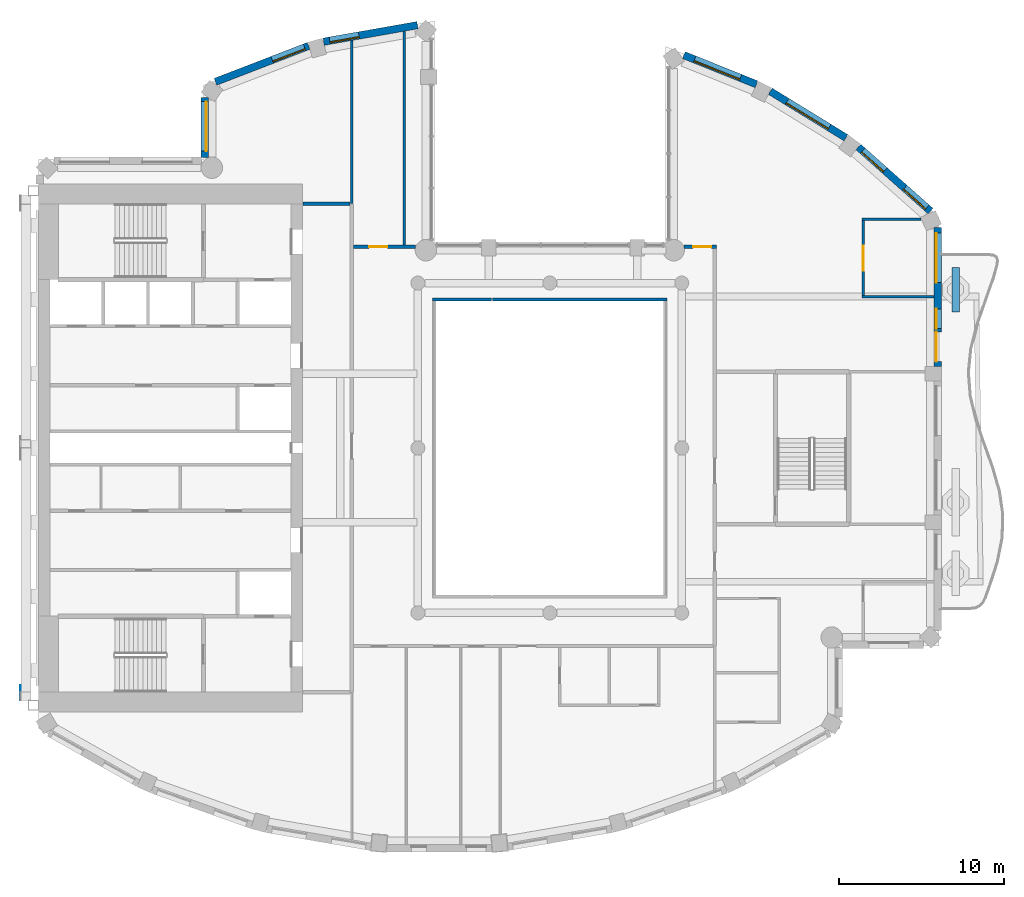
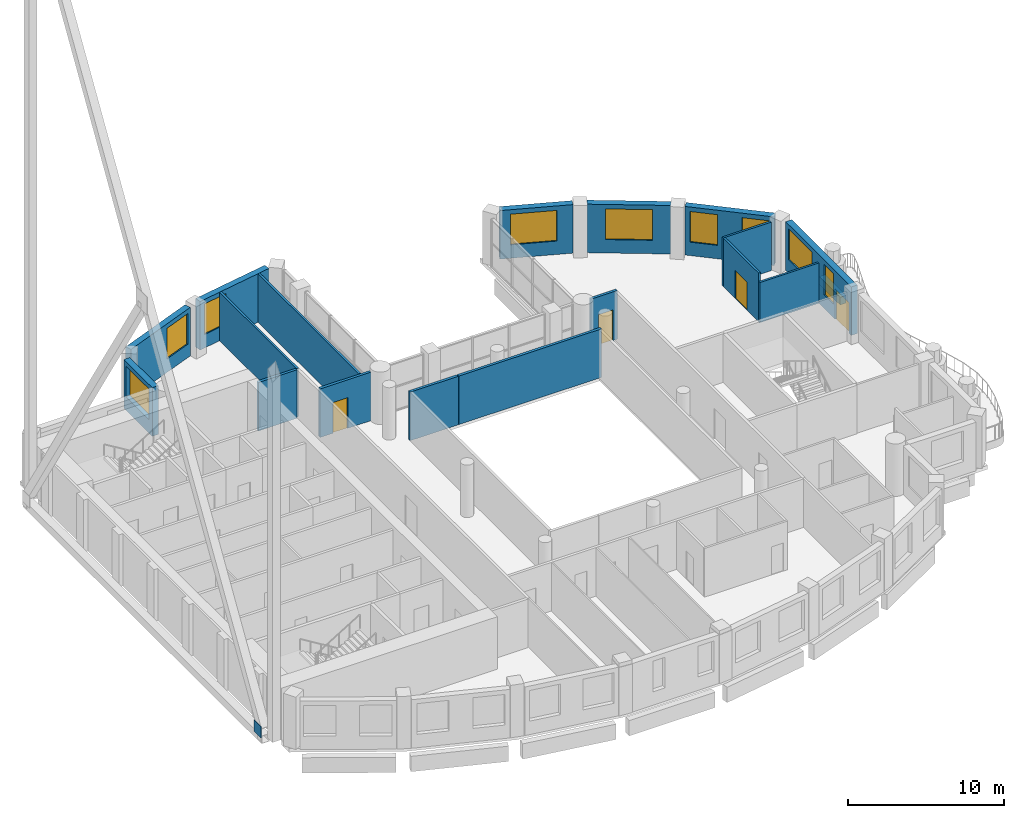
# One storey, part 8 of 18: 18 walls, 9 windows, 4 doors, 1 discrete accessory, 13 openings.
"""IFC4 building model written with IfcOpenShell, lengths in metres."""

from ifc_helpers import new_model, si_unit, direction, frame, frame_2d, origin, origin_2d, place, context, subcontext, project, spatial, rectangle, extrude, material, layer, layer_set, material_profile, profile_set, type_object, element, fill, save


model = new_model("IFC4")

# Units and contexts
model_context = context("Model", 3, precision=1e-05, world=origin(), true_north=direction((0.0, 1.0)))
body_context = subcontext(model_context, "Body", "Model", "MODEL_VIEW")
ifc_project = project(units=[si_unit("LENGTHUNIT", "METRE"), si_unit("AREAUNIT", "SQUARE_METRE"), si_unit("VOLUMEUNIT", "CUBIC_METRE"), si_unit("PLANEANGLEUNIT", "RADIAN"), si_unit("MASSUNIT", "GRAM", prefix="KILO")], contexts=[model_context])

# Site, building, storey
site_placement = place(None, origin())
site = spatial("IfcSite", under=ifc_project, at=site_placement, CompositionType="ELEMENT")
building_placement = place(site_placement, origin())
building = spatial("IfcBuilding", under=site, at=building_placement, Name="Cypress Arch Tower", CompositionType="ELEMENT")
storey_placement = place(building_placement, frame((0.0, 0.0, 288.5)))
storey = spatial("IfcBuildingStorey", under=building, at=storey_placement, Name="L65", CompositionType="ELEMENT", Elevation=288.5)

# Wall
ifc_material_1 = material(Name="Concrete C40/50, waterproofed", Category="concrete")
ifc_layer_1 = layer(ifc_material_1, 0.449951171875)
ifc_layer_set_1 = layer_set([ifc_layer_1], Name="Balcony planter wall PW450")
wall_type_1 = type_object("IfcWallType", Name="Balcony planter wall PW450", PredefinedType="SOLIDWALL", material=ifc_layer_set_1)
wall_1_placement = place(storey_placement, frame((25.60009765625, 8.25, 0.0), z_axis=(0.0, 0.0, 1.0), x_axis=(0.0, 1.0, 0.0)))
element("IfcWall", 1, at=wall_1_placement, inside=storey, type_object=wall_type_1, Name="Balcony planter wall L65-C17.3", PredefinedType="SOLIDWALL", context=body_context, shape_type="SweptSolid", body=[
    extrude(rectangle(XDim=2.699951171875, YDim=0.449951171875, at=frame_2d((1.35009765625, 0.0))), origin(), (0.0, 0.0, 1.0), 0.60009765625),
])

# Wall, opening, window
ifc_material_2 = material(Name="Brick (red buff blend)", Category="masonry")
ifc_layer_2 = layer(ifc_material_2, 0.449951171875)
ifc_layer_set_2 = layer_set([ifc_layer_2], Name="Brick pier and spandrel wall BW450")
wall_type_2 = type_object("IfcWallType", Name="Brick pier and spandrel wall BW450", PredefinedType="SOLIDWALL", material=ifc_layer_set_2)
wall_2_placement = place(storey_placement, frame((-7.028564453125, 25.63232421875, 0.0), z_axis=(0.0, 0.0, 1.0), x_axis=(-0.984797606634, -0.173705710808, 0.0)))
wall_2 = element("IfcWall", 2, at=wall_2_placement, inside=storey, type_object=wall_type_2, Name="Brick wall L65 C03.0", PredefinedType="SOLIDWALL", context=body_context, shape_type="SweptSolid", body=[
    extrude(rectangle(XDim=5.772216796875, YDim=0.449951171875, at=frame_2d((2.88623046875, 0.0))), origin(), (0.0, 0.0, 1.0), 3.800048828125),
])
opening_1_placement = place(wall_2_placement, frame((3.59326171875, 0.0, 1.050048828125)))
opening_1 = element("IfcOpeningElement", 3, at=opening_1_placement, cuts=wall_2, Name="Opening W180O", PredefinedType="OPENING", context=body_context, shape_type="SweptSolid", body=[
    extrude(rectangle(XDim=1.800048828125, YDim=2.39990234375, at=frame_2d((0.89990234375, 1.199951171875))), frame((0.0, 0.23486328125, 0.0), z_axis=(0.0, -1.0, 0.0), x_axis=(1.0, 0.0, 0.0)), (0.0, 0.0, 1.0), 0.469970703125),
])
ifc_material_3 = material(Name="Anodised aluminium, bronze finish, clear low-emissivity double glazing", Category="aluminium")
window_type_1 = type_object("IfcWindowType", Name="Window Office 1800x2400", PartitioningType="SINGLE_PANEL", PredefinedType="WINDOW", material=ifc_material_3)
window_1_placement = place(opening_1_placement, origin())
window_1 = element("IfcWindow", 4, at=window_1_placement, inside=storey, type_object=window_type_1, Name="Window L65 C03.0.2", OverallHeight=2.39990234375, OverallWidth=1.800048828125, PartitioningType="SINGLE_PANEL", PredefinedType="WINDOW", context=body_context, shape_type="SweptSolid", body=[
    extrude(rectangle(XDim=1.800048828125, YDim=2.39990234375, at=frame_2d((0.89990234375, 1.199951171875))), frame((0.0, 0.135009765625, 0.0), z_axis=(0.0, -1.0, 0.0), x_axis=(1.0, 0.0, 0.0)), (0.0, 0.0, 1.0), 0.06005859375),
])
fill(opening_1, window_1)

wall_3_placement = place(storey_placement, frame((-13.6220703125, 24.376953125, 0.0), z_axis=(0.0, 0.0, 1.0), x_axis=(-0.933129259679, -0.359541075164, 0.0)))
wall_3 = element("IfcWall", 5, at=wall_3_placement, inside=storey, type_object=wall_type_2, Name="Brick wall L65 C04.0", PredefinedType="SOLIDWALL", context=body_context, shape_type="SweptSolid", body=[
    extrude(rectangle(XDim=6.05419921875, YDim=0.449951171875, at=frame_2d((3.027099609375, 0.0))), origin(), (0.0, 0.0, 1.0), 3.800048828125),
])
opening_2_placement = place(wall_3_placement, frame((0.260986328125, 0.0, 1.050048828125)))
opening_2 = element("IfcOpeningElement", 6, at=opening_2_placement, cuts=wall_3, Name="Opening W210O", PredefinedType="OPENING", context=body_context, shape_type="SweptSolid", body=[
    extrude(rectangle(XDim=2.10009765625, YDim=2.39990234375, at=frame_2d((1.050048828125, 1.199951171875))), frame((0.0, 0.23486328125, 0.0), z_axis=(0.0, -1.0, 0.0), x_axis=(1.0, 0.0, 0.0)), (0.0, 0.0, 1.0), 0.469970703125),
])
ifc_material_4 = material(Name="Anodised aluminium, bronze finish, clear low-emissivity double glazing", Category="aluminium")
window_type_2 = type_object("IfcWindowType", Name="Window Office 2100x2400", PartitioningType="SINGLE_PANEL", PredefinedType="WINDOW", material=ifc_material_4)
window_2_placement = place(opening_2_placement, origin())
window_2 = element("IfcWindow", 7, at=window_2_placement, inside=storey, type_object=window_type_2, Name="Window L65 C04.0.1", OverallHeight=2.39990234375, OverallWidth=2.10009765625, PartitioningType="SINGLE_PANEL", PredefinedType="WINDOW", context=body_context, shape_type="SweptSolid", body=[
    extrude(rectangle(XDim=2.10009765625, YDim=2.39990234375, at=frame_2d((1.050048828125, 1.199951171875))), frame((0.0, 0.135009765625, 0.0), z_axis=(0.0, -1.0, 0.0), x_axis=(1.0, 0.0, 0.0)), (0.0, 0.0, 1.0), 0.06005859375),
])
fill(opening_2, window_2)

wall_4_placement = place(storey_placement, frame((-19.925048828125, 21.248291015625, 0.0), z_axis=(0.0, 0.0, 1.0), x_axis=(0.0, -1.0, 0.0)))
wall_4 = element("IfcWall", 8, at=wall_4_placement, inside=storey, type_object=wall_type_2, Name="Brick wall L65 C05.0", PredefinedType="SOLIDWALL", context=body_context, shape_type="SweptSolid", body=[
    extrude(rectangle(XDim=3.646728515625, YDim=0.449951171875, at=frame_2d((1.8232421875, 0.0))), origin(), (0.0, 0.0, 1.0), 3.800048828125),
])
opening_3_placement = place(wall_4_placement, frame((0.251220703125, 0.0, 1.050048828125)))
opening_3 = element("IfcOpeningElement", 9, at=opening_3_placement, cuts=wall_4, Name="Opening W300O", PredefinedType="OPENING", context=body_context, shape_type="SweptSolid", body=[
    extrude(rectangle(XDim=3.0, YDim=2.39990234375, at=frame_2d((1.5, 1.199951171875))), frame((0.0, 0.23486328125, 0.0), z_axis=(0.0, -1.0, 0.0), x_axis=(1.0, 0.0, 0.0)), (0.0, 0.0, 1.0), 0.469970703125),
])
ifc_material_5 = material(Name="Anodised aluminium, bronze finish, clear low-emissivity double glazing", Category="aluminium")
window_type_3 = type_object("IfcWindowType", Name="Window Office 3000x2400", PartitioningType="SINGLE_PANEL", PredefinedType="WINDOW", material=ifc_material_5)
window_3_placement = place(opening_3_placement, origin())
window_3 = element("IfcWindow", 10, at=window_3_placement, inside=storey, type_object=window_type_3, Name="Window L65 C05.0.1", OverallHeight=2.39990234375, OverallWidth=3.0, PartitioningType="SINGLE_PANEL", PredefinedType="WINDOW", context=body_context, shape_type="SweptSolid", body=[
    extrude(rectangle(XDim=3.0, YDim=2.39990234375, at=frame_2d((1.5, 1.199951171875))), frame((0.0, 0.135009765625, 0.0), z_axis=(0.0, -1.0, 0.0), x_axis=(1.0, 0.0, 0.0)), (0.0, 0.0, 1.0), 0.06005859375),
])
fill(opening_3, window_3)

# Wall, openings, door, windows
wall_5_placement = place(storey_placement, frame((24.52490234375, 4.949951171875, 0.0), z_axis=(0.0, 0.0, 1.0), x_axis=(0.0, 1.0, 0.0)))
wall_5 = element("IfcWall", 11, at=wall_5_placement, inside=storey, type_object=wall_type_2, Name="Brick wall L65 C17.2", PredefinedType="SOLIDWALL", context=body_context, shape_type="SweptSolid", body=[
    extrude(rectangle(XDim=8.421875, YDim=0.449951171875, at=frame_2d((4.2109375, 0.0))), origin(), (0.0, 0.0, 1.0), 3.800048828125),
])
opening_4_placement = place(wall_5_placement, frame((0.291259765625, 0.0, 0.0)))
opening_4 = element("IfcOpeningElement", 12, at=opening_4_placement, cuts=wall_5, Name="Opening D-L65-C17.2.1", PredefinedType="OPENING", context=body_context, shape_type="SweptSolid", body=[
    extrude(rectangle(XDim=1.800048828125, YDim=2.39990234375, at=frame_2d((0.89990234375, 1.199951171875))), frame((0.0, 0.23486328125, 0.0), z_axis=(0.0, -1.0, 0.0), x_axis=(1.0, 0.0, 0.0)), (0.0, 0.0, 1.0), 0.469970703125),
])
opening_5_placement = place(wall_5_placement, frame((2.291259765625, 0.0, 1.050048828125)))
opening_5 = element("IfcOpeningElement", 13, at=opening_5_placement, cuts=wall_5, Name="Opening W120OD", PredefinedType="OPENING", context=body_context, shape_type="SweptSolid", body=[
    extrude(rectangle(XDim=1.199951171875, YDim=2.39990234375, at=frame_2d((0.60009765625, 1.199951171875))), frame((0.0, 0.23486328125, 0.0), z_axis=(0.0, -1.0, 0.0), x_axis=(1.0, 0.0, 0.0)), (0.0, 0.0, 1.0), 0.469970703125),
])
opening_6_placement = place(wall_5_placement, frame((5.073974609375, 0.0, 1.050048828125)))
opening_6 = element("IfcOpeningElement", 14, at=opening_6_placement, cuts=wall_5, Name="Opening W300OD", PredefinedType="OPENING", context=body_context, shape_type="SweptSolid", body=[
    extrude(rectangle(XDim=3.0, YDim=2.39990234375, at=frame_2d((1.5, 1.199951171875))), frame((0.0, 0.23486328125, 0.0), z_axis=(0.0, -1.0, 0.0), x_axis=(1.0, 0.0, 0.0)), (0.0, 0.0, 1.0), 0.469970703125),
])
ifc_material_6 = material(Name="Anodised aluminium, bronze finish, laminated low-emissivity double glazing, large-missile impact rated", Category="aluminium")
door_type_1 = type_object("IfcDoorType", Name="Balcony sliding door 1800x2400", OperationType="SLIDING_TO_LEFT", PredefinedType="DOOR", material=ifc_material_6)
door_1_placement = place(opening_4_placement, origin())
door_1 = element("IfcDoor", 15, at=door_1_placement, inside=storey, type_object=door_type_1, Name="Balcony door L65 C17.2.1", OperationType="SLIDING_TO_LEFT", OverallHeight=2.39990234375, OverallWidth=1.800048828125, PredefinedType="DOOR", context=body_context, shape_type="SweptSolid", body=[
    extrude(rectangle(XDim=1.800048828125, YDim=2.39990234375, at=frame_2d((0.89990234375, 1.199951171875))), frame((0.0, 0.1298828125, 0.0), z_axis=(0.0, -1.0, 0.0), x_axis=(1.0, 0.0, 0.0)), (0.0, 0.0, 1.0), 0.050048828125),
])
fill(opening_4, door_1)
ifc_material_7 = material(Name="Anodised aluminium, bronze finish, laminated low-emissivity double glazing, large-missile impact rated", Category="aluminium")
window_type_4 = type_object("IfcWindowType", Name="Window Office 1200x2400 debris-rated", PartitioningType="SINGLE_PANEL", PredefinedType="WINDOW", material=ifc_material_7)
window_4_placement = place(opening_5_placement, origin())
window_4 = element("IfcWindow", 16, at=window_4_placement, inside=storey, type_object=window_type_4, Name="Window L65 C17.2.1", OverallHeight=2.39990234375, OverallWidth=1.199951171875, PartitioningType="SINGLE_PANEL", PredefinedType="WINDOW", context=body_context, shape_type="SweptSolid", body=[
    extrude(rectangle(XDim=1.199951171875, YDim=2.39990234375, at=frame_2d((0.60009765625, 1.199951171875))), frame((0.0, 0.135009765625, 0.0), z_axis=(0.0, -1.0, 0.0), x_axis=(1.0, 0.0, 0.0)), (0.0, 0.0, 1.0), 0.06005859375),
])
fill(opening_5, window_4)
ifc_material_8 = material(Name="Anodised aluminium, bronze finish, laminated low-emissivity double glazing, large-missile impact rated", Category="aluminium")
window_type_5 = type_object("IfcWindowType", Name="Window Office 3000x2400 debris-rated", PartitioningType="SINGLE_PANEL", PredefinedType="WINDOW", material=ifc_material_8)
window_5_placement = place(opening_6_placement, origin())
window_5 = element("IfcWindow", 17, at=window_5_placement, inside=storey, type_object=window_type_5, Name="Window L65 C17.2.2", OverallHeight=2.39990234375, OverallWidth=3.0, PartitioningType="SINGLE_PANEL", PredefinedType="WINDOW", context=body_context, shape_type="SweptSolid", body=[
    extrude(rectangle(XDim=3.0, YDim=2.39990234375, at=frame_2d((1.5, 1.199951171875))), frame((0.0, 0.135009765625, 0.0), z_axis=(0.0, -1.0, 0.0), x_axis=(1.0, 0.0, 0.0)), (0.0, 0.0, 1.0), 0.06005859375),
])
fill(opening_6, window_5)

# Wall, openings, windows
wall_6_placement = place(storey_placement, frame((24.08056640625, 14.361083984375, 0.0), z_axis=(0.0, 0.0, 1.0), x_axis=(-0.747570482973, 0.664182484704, 0.0)))
wall_6 = element("IfcWall", 18, at=wall_6_placement, inside=storey, type_object=wall_type_2, Name="Brick wall L65 C18.0", PredefinedType="SOLIDWALL", context=body_context, shape_type="SweptSolid", body=[
    extrude(rectangle(XDim=5.849609375, YDim=0.449951171875, at=frame_2d((2.9248046875, 0.0))), origin(), (0.0, 0.0, 1.0), 3.800048828125),
])
opening_7_placement = place(wall_6_placement, frame((0.305419921875, 0.0, 1.050048828125)))
opening_7 = element("IfcOpeningElement", 19, at=opening_7_placement, cuts=wall_6, Name="Opening W180O", PredefinedType="OPENING", context=body_context, shape_type="SweptSolid", body=[
    extrude(rectangle(XDim=1.800048828125, YDim=2.39990234375, at=frame_2d((0.89990234375, 1.199951171875))), frame((0.0, 0.23486328125, 0.0), z_axis=(0.0, -1.0, 0.0), x_axis=(1.0, 0.0, 0.0)), (0.0, 0.0, 1.0), 0.469970703125),
])
opening_8_placement = place(wall_6_placement, frame((3.702880859375, 0.0, 1.050048828125)))
opening_8 = element("IfcOpeningElement", 20, at=opening_8_placement, cuts=wall_6, Name="Opening W180O", PredefinedType="OPENING", context=body_context, shape_type="SweptSolid", body=[
    extrude(rectangle(XDim=1.800048828125, YDim=2.39990234375, at=frame_2d((0.89990234375, 1.199951171875))), frame((0.0, 0.23486328125, 0.0), z_axis=(0.0, -1.0, 0.0), x_axis=(1.0, 0.0, 0.0)), (0.0, 0.0, 1.0), 0.469970703125),
])
window_6_placement = place(opening_7_placement, origin())
window_6 = element("IfcWindow", 21, at=window_6_placement, inside=storey, type_object=window_type_1, Name="Window L65 C18.0.1", OverallHeight=2.39990234375, OverallWidth=1.800048828125, PartitioningType="SINGLE_PANEL", PredefinedType="WINDOW", context=body_context, shape_type="SweptSolid", body=[
    extrude(rectangle(XDim=1.800048828125, YDim=2.39990234375, at=frame_2d((0.89990234375, 1.199951171875))), frame((0.0, 0.135009765625, 0.0), z_axis=(0.0, -1.0, 0.0), x_axis=(1.0, 0.0, 0.0)), (0.0, 0.0, 1.0), 0.06005859375),
])
fill(opening_7, window_6)
window_7_placement = place(opening_8_placement, origin())
window_7 = element("IfcWindow", 22, at=window_7_placement, inside=storey, type_object=window_type_1, Name="Window L65 C18.0.2", OverallHeight=2.39990234375, OverallWidth=1.800048828125, PartitioningType="SINGLE_PANEL", PredefinedType="WINDOW", context=body_context, shape_type="SweptSolid", body=[
    extrude(rectangle(XDim=1.800048828125, YDim=2.39990234375, at=frame_2d((0.89990234375, 1.199951171875))), frame((0.0, 0.135009765625, 0.0), z_axis=(0.0, -1.0, 0.0), x_axis=(1.0, 0.0, 0.0)), (0.0, 0.0, 1.0), 0.06005859375),
])
fill(opening_8, window_7)

# Wall, opening, window
wall_7_placement = place(storey_placement, frame((18.953369140625, 18.806396484375, 0.0), z_axis=(0.0, 0.0, 1.0), x_axis=(-0.851860664503, 0.523768468193, 0.0)))
wall_7 = element("IfcWall", 23, at=wall_7_placement, inside=storey, type_object=wall_type_2, Name="Brick wall L65 C19.0", PredefinedType="SOLIDWALL", context=body_context, shape_type="SweptSolid", body=[
    extrude(rectangle(XDim=5.3837890625, YDim=0.449951171875, at=frame_2d((2.69189453125, 0.0))), origin(), (0.0, 0.0, 1.0), 3.800048828125),
])
opening_9_placement = place(wall_7_placement, frame((1.19189453125, 0.0, 1.050048828125)))
opening_9 = element("IfcOpeningElement", 24, at=opening_9_placement, cuts=wall_7, Name="Opening W300O", PredefinedType="OPENING", context=body_context, shape_type="SweptSolid", body=[
    extrude(rectangle(XDim=3.0, YDim=2.39990234375, at=frame_2d((1.5, 1.199951171875))), frame((0.0, 0.23486328125, 0.0), z_axis=(0.0, -1.0, 0.0), x_axis=(1.0, 0.0, 0.0)), (0.0, 0.0, 1.0), 0.469970703125),
])
window_8_placement = place(opening_9_placement, origin())
window_8 = element("IfcWindow", 25, at=window_8_placement, inside=storey, type_object=window_type_3, Name="Window L65 C19.0.1", OverallHeight=2.39990234375, OverallWidth=3.0, PartitioningType="SINGLE_PANEL", PredefinedType="WINDOW", context=body_context, shape_type="SweptSolid", body=[
    extrude(rectangle(XDim=3.0, YDim=2.39990234375, at=frame_2d((1.5, 1.199951171875))), frame((0.0, 0.135009765625, 0.0), z_axis=(0.0, -1.0, 0.0), x_axis=(1.0, 0.0, 0.0)), (0.0, 0.0, 1.0), 0.06005859375),
])
fill(opening_9, window_8)

wall_8_placement = place(storey_placement, frame((13.529296875, 22.04833984375, 0.0), z_axis=(0.0, 0.0, 1.0), x_axis=(-0.927957332619, 0.372686448424, 0.0)))
wall_8 = element("IfcWall", 26, at=wall_8_placement, inside=storey, type_object=wall_type_2, Name="Brick wall L65 C20.0", PredefinedType="SOLIDWALL", context=body_context, shape_type="SweptSolid", body=[
    extrude(rectangle(XDim=4.741455078125, YDim=0.449951171875, at=frame_2d((2.37060546875, 0.0))), origin(), (0.0, 0.0, 1.0), 3.800048828125),
])
opening_10_placement = place(wall_8_placement, frame((1.046630859375, 0.0, 1.050048828125)))
opening_10 = element("IfcOpeningElement", 27, at=opening_10_placement, cuts=wall_8, Name="Opening W300O", PredefinedType="OPENING", context=body_context, shape_type="SweptSolid", body=[
    extrude(rectangle(XDim=3.0, YDim=2.39990234375, at=frame_2d((1.5, 1.199951171875))), frame((0.0, 0.23486328125, 0.0), z_axis=(0.0, -1.0, 0.0), x_axis=(1.0, 0.0, 0.0)), (0.0, 0.0, 1.0), 0.469970703125),
])
window_9_placement = place(opening_10_placement, origin())
window_9 = element("IfcWindow", 28, at=window_9_placement, inside=storey, type_object=window_type_3, Name="Window L65 C20.0.1", OverallHeight=2.39990234375, OverallWidth=3.0, PartitioningType="SINGLE_PANEL", PredefinedType="WINDOW", context=body_context, shape_type="SweptSolid", body=[
    extrude(rectangle(XDim=3.0, YDim=2.39990234375, at=frame_2d((1.5, 1.199951171875))), frame((0.0, 0.135009765625, 0.0), z_axis=(0.0, -1.0, 0.0), x_axis=(1.0, 0.0, 0.0)), (0.0, 0.0, 1.0), 0.06005859375),
])
fill(opening_10, window_9)

# Wall
ifc_material_9 = material(Name="Concrete blockwork, plastered, rated", Category="masonry")
ifc_layer_3 = layer(ifc_material_9, 0.199951171875)
ifc_layer_set_3 = layer_set([ifc_layer_3], Name="Corridor wall FW200")
wall_type_3 = type_object("IfcWallType", Name="Corridor wall FW200", PredefinedType="PARTITIONING", material=ifc_layer_set_3)
wall_9_placement = place(storey_placement, frame((-13.969970703125, 14.800048828125, 0.0), z_axis=(0.0, 0.0, 1.0), x_axis=(1.0, 0.0, 0.0)))
element("IfcWall", 29, at=wall_9_placement, inside=storey, type_object=wall_type_3, Name="Corridor wall", PredefinedType="PARTITIONING", context=body_context, shape_type="SweptSolid", body=[
    extrude(rectangle(XDim=2.869873046875, YDim=0.199951171875, at=frame_2d((1.43505859375, 0.0))), origin(), (0.0, 0.0, 1.0), 3.800048828125),
])

# Wall, opening, door
wall_10_placement = place(storey_placement, frame((-10.89990234375, 12.199951171875, 0.0), z_axis=(0.0, 0.0, 1.0), x_axis=(1.0, 0.0, 0.0)))
wall_10 = element("IfcWall", 30, at=wall_10_placement, inside=storey, type_object=wall_type_3, Name="Corridor wall", PredefinedType="PARTITIONING", context=body_context, shape_type="SweptSolid", body=[
    extrude(rectangle(XDim=3.756103515625, YDim=0.199951171875, at=frame_2d((1.8779296875, 0.0))), origin(), (0.0, 0.0, 1.0), 3.800048828125),
])
opening_11_placement = place(wall_10_placement, frame((0.949951171875, 0.0, 0.0)))
opening_11 = element("IfcOpeningElement", 31, at=opening_11_placement, cuts=wall_10, Name="Opening D01", PredefinedType="OPENING", context=body_context, shape_type="SweptSolid", body=[
    extrude(rectangle(XDim=1.10009765625, YDim=2.39990234375, at=frame_2d((0.550048828125, 1.199951171875))), frame((0.0, 0.10986328125, 0.0), z_axis=(0.0, -1.0, 0.0), x_axis=(1.0, 0.0, 0.0)), (0.0, 0.0, 1.0), 0.219970703125),
])
ifc_material_10 = material(Name="Timber flush door, fire resisting, self-closing", Category="wood")
door_type_2 = type_object("IfcDoorType", Name="Unit entrance door D01 1100x2400", OperationType="SINGLE_SWING_LEFT", PredefinedType="DOOR", material=ifc_material_10)
door_2_placement = place(opening_11_placement, origin())
door_2 = element("IfcDoor", 32, at=door_2_placement, inside=storey, type_object=door_type_2, Name="Unit entrance door", OperationType="SINGLE_SWING_RIGHT", OverallHeight=2.39990234375, OverallWidth=1.10009765625, PredefinedType="DOOR", context=body_context, shape_type="SweptSolid", body=[
    extrude(rectangle(XDim=1.10009765625, YDim=2.39990234375, at=frame_2d((0.550048828125, 1.199951171875))), frame((0.0, 0.02490234375, 0.0), z_axis=(0.0, -1.0, 0.0), x_axis=(1.0, 0.0, 0.0)), (0.0, 0.0, 1.0), 0.050048828125),
])
fill(opening_11, door_2)

# Walls
wall_11_placement = place(storey_placement, frame((-6.10009765625, 9.0, 0.0), z_axis=(0.0, 0.0, 1.0), x_axis=(1.0, 0.0, 0.0)))
element("IfcWall", 33, at=wall_11_placement, inside=storey, type_object=wall_type_3, Name="Corridor wall", PredefinedType="PARTITIONING", context=body_context, shape_type="SweptSolid", body=[
    extrude(rectangle(XDim=3.580078125, YDim=0.199951171875, at=frame_2d((1.7900390625, 0.0))), origin(), (0.0, 0.0, 1.0), 3.800048828125),
])
wall_12_placement = place(storey_placement, frame((-2.47998046875, 9.0, 0.0), z_axis=(0.0, 0.0, 1.0), x_axis=(1.0, 0.0, 0.0)))
element("IfcWall", 34, at=wall_12_placement, inside=storey, type_object=wall_type_3, Name="Corridor wall", PredefinedType="PARTITIONING", context=body_context, shape_type="SweptSolid", body=[
    extrude(rectangle(XDim=10.580078125, YDim=0.199951171875, at=frame_2d((5.2900390625, 0.0))), origin(), (0.0, 0.0, 1.0), 3.800048828125),
])

# Wall, opening, door
wall_13_placement = place(storey_placement, frame((9.143798828125, 12.199951171875, 0.0), z_axis=(0.0, 0.0, 1.0), x_axis=(1.0, 0.0, 0.0)))
wall_13 = element("IfcWall", 35, at=wall_13_placement, inside=storey, type_object=wall_type_3, Name="Corridor wall", PredefinedType="PARTITIONING", context=body_context, shape_type="SweptSolid", body=[
    extrude(rectangle(XDim=1.956298828125, YDim=0.199951171875, at=frame_2d((0.97802734375, 0.0))), origin(), (0.0, 0.0, 1.0), 3.800048828125),
])
opening_12_placement = place(wall_13_placement, frame((0.550048828125, 0.0, 0.0)))
opening_12 = element("IfcOpeningElement", 36, at=opening_12_placement, cuts=wall_13, Name="Opening D01", PredefinedType="OPENING", context=body_context, shape_type="SweptSolid", body=[
    extrude(rectangle(XDim=1.10009765625, YDim=2.39990234375, at=frame_2d((0.550048828125, 1.199951171875))), frame((0.0, 0.10986328125, 0.0), z_axis=(0.0, -1.0, 0.0), x_axis=(1.0, 0.0, 0.0)), (0.0, 0.0, 1.0), 0.219970703125),
])
door_3_placement = place(opening_12_placement, origin())
door_3 = element("IfcDoor", 37, at=door_3_placement, inside=storey, type_object=door_type_2, Name="Unit entrance door", OperationType="SINGLE_SWING_LEFT", OverallHeight=2.39990234375, OverallWidth=1.10009765625, PredefinedType="DOOR", context=body_context, shape_type="SweptSolid", body=[
    extrude(rectangle(XDim=1.10009765625, YDim=2.39990234375, at=frame_2d((0.550048828125, 1.199951171875))), frame((0.0, 0.02490234375, 0.0), z_axis=(0.0, -1.0, 0.0), x_axis=(1.0, 0.0, 0.0)), (0.0, 0.0, 1.0), 0.050048828125),
])
fill(opening_12, door_3)

# Walls
ifc_material_11 = material(Name="Blockwork, plastered both sides", Category="masonry")
ifc_layer_4 = layer(ifc_material_11, 0.14990234375)
ifc_layer_set_4 = layer_set([ifc_layer_4], Name="Partition PW150")
wall_type_4 = type_object("IfcWallType", Name="Partition PW150", PredefinedType="PARTITIONING", material=ifc_layer_set_4)
wall_14_placement = place(storey_placement, frame((-11.0, 14.820068359375, 0.0), z_axis=(0.0, 0.0, 1.0), x_axis=(0.0, 1.0, 0.0)))
element("IfcWall", 38, at=wall_14_placement, inside=storey, type_object=wall_type_4, Name="Partition", PredefinedType="PARTITIONING", context=body_context, shape_type="SweptSolid", body=[
    extrude(rectangle(XDim=9.88330078125, YDim=0.14990234375, at=frame_2d((4.941650390625, 0.0))), origin(), (0.0, 0.0, 1.0), 3.800048828125),
])
wall_15_placement = place(storey_placement, frame((-7.830810546875, 12.320068359375, 0.0), z_axis=(0.0, 0.0, 1.0), x_axis=(0.0, 1.0, 0.0)))
element("IfcWall", 39, at=wall_15_placement, inside=storey, type_object=wall_type_4, Name="Partition", PredefinedType="PARTITIONING", context=body_context, shape_type="SweptSolid", body=[
    extrude(rectangle(XDim=12.9423828125, YDim=0.14990234375, at=frame_2d((6.47119140625, 0.0))), origin(), (0.0, 0.0, 1.0), 3.800048828125),
])

# Wall, opening, door
wall_16_placement = place(storey_placement, frame((20.0, 9.258056640625, 0.0), z_axis=(0.0, 0.0, 1.0), x_axis=(0.0, 1.0, 0.0)))
wall_16 = element("IfcWall", 40, at=wall_16_placement, inside=storey, type_object=wall_type_4, Name="Partition", PredefinedType="PARTITIONING", context=body_context, shape_type="SweptSolid", body=[
    extrude(rectangle(XDim=4.531982421875, YDim=0.14990234375, at=frame_2d((2.26611328125, 0.0))), origin(), (0.0, 0.0, 1.0), 3.800048828125),
])
opening_13_placement = place(wall_16_placement, frame((1.5, 0.0, 0.0)))
opening_13 = element("IfcOpeningElement", 41, at=opening_13_placement, cuts=wall_16, Name="Opening D04", PredefinedType="OPENING", context=body_context, shape_type="SweptSolid", body=[
    extrude(rectangle(XDim=1.5, YDim=2.199951171875, at=frame_2d((0.75, 1.10009765625))), frame((0.0, 0.0849609375, 0.0), z_axis=(0.0, -1.0, 0.0), x_axis=(1.0, 0.0, 0.0)), (0.0, 0.0, 1.0), 0.169921875),
])
ifc_material_12 = material(Name="Timber double door", Category="wood")
door_type_3 = type_object("IfcDoorType", Name="Double door D04 1500x2200", OperationType="DOUBLE_DOOR_SINGLE_SWING", PredefinedType="DOOR", material=ifc_material_12)
door_4_placement = place(opening_13_placement, origin())
door_4 = element("IfcDoor", 42, at=door_4_placement, inside=storey, type_object=door_type_3, Name="Double door", OperationType="DOUBLE_DOOR_SINGLE_SWING", OverallHeight=2.199951171875, OverallWidth=1.5, PredefinedType="DOOR", context=body_context, shape_type="SweptSolid", body=[
    extrude(rectangle(XDim=1.5, YDim=2.199951171875, at=frame_2d((0.75, 1.10009765625))), frame((0.0, 0.02490234375, 0.0), z_axis=(0.0, -1.0, 0.0), x_axis=(1.0, 0.0, 0.0)), (0.0, 0.0, 1.0), 0.050048828125),
])
fill(opening_13, door_4)

# Walls
wall_17_placement = place(storey_placement, frame((19.925048828125, 9.18310546875, 0.0), z_axis=(0.0, 0.0, 1.0), x_axis=(1.0, 0.0, 0.0)))
element("IfcWall", 43, at=wall_17_placement, inside=storey, type_object=wall_type_4, Name="Partition", PredefinedType="PARTITIONING", context=body_context, shape_type="SweptSolid", body=[
    extrude(rectangle(XDim=4.375, YDim=0.14990234375, at=frame_2d((2.1875, 0.0))), origin(), (0.0, 0.0, 1.0), 3.14990234375),
])
wall_18_placement = place(storey_placement, frame((19.925048828125, 13.864990234375, 0.0), z_axis=(0.0, 0.0, 1.0), x_axis=(1.0, 0.0, 0.0)))
element("IfcWall", 44, at=wall_18_placement, inside=storey, type_object=wall_type_4, Name="Partition", PredefinedType="PARTITIONING", context=body_context, shape_type="SweptSolid", body=[
    extrude(rectangle(XDim=3.568115234375, YDim=0.14990234375, at=frame_2d((1.7841796875, 0.0))), origin(), (0.0, 0.0, 1.0), 3.800048828125),
])

# Discrete accessory
ifc_material_13 = material(Name="Steel ASTM A992", Category="steel")
ifc_material_profile = material_profile(ifc_material_13, rectangle(XDim=0.89990234375, YDim=0.89990234375, at=origin_2d()), Name="PL 30 900x900")
ifc_profile_set = profile_set([ifc_material_profile], Name="Steel ASTM A992")
discrete_accessory_type = type_object("IfcDiscreteAccessoryType", Name="Gusset plate 900x900x30 Steel ASTM A992", PredefinedType="ANCHORPLATE", material=ifc_profile_set)
discrete_accessory_placement = place(storey_placement, frame((-31.0595703125, -14.84326171875, 0.604736328125), z_axis=(-1.0, 0.0, 0.0), x_axis=(0.0, -1.0, 0.0)))
element("IfcDiscreteAccessory", 45, at=discrete_accessory_placement, inside=storey, type_object=discrete_accessory_type, Name="Gusset plate west bracing 6SB", PredefinedType="ANCHORPLATE", context=body_context, shape_type="SweptSolid", body=[
    extrude(rectangle(XDim=0.89990234375, YDim=0.89990234375, at=origin_2d()), origin(), (0.0, 0.0, 1.0), 0.030029296875),
])

save(model, "model.ifc")
